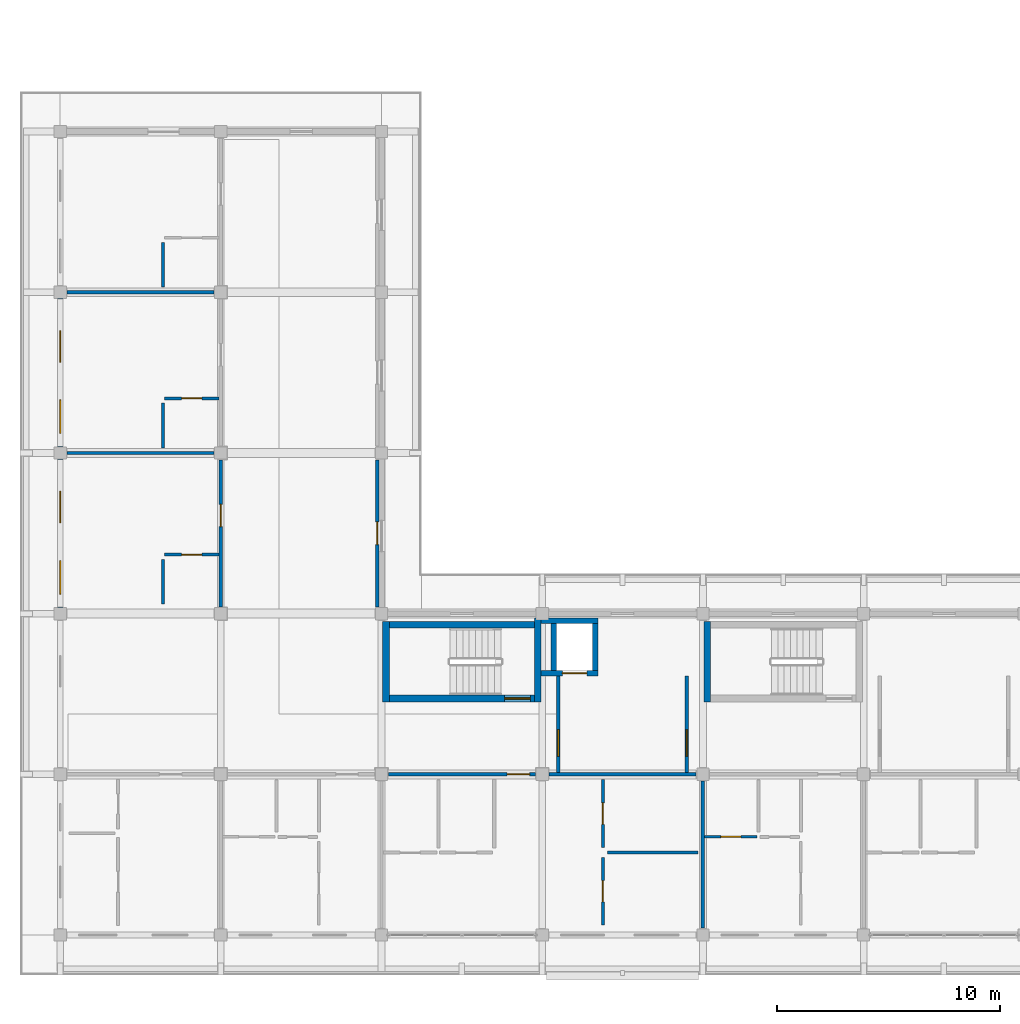
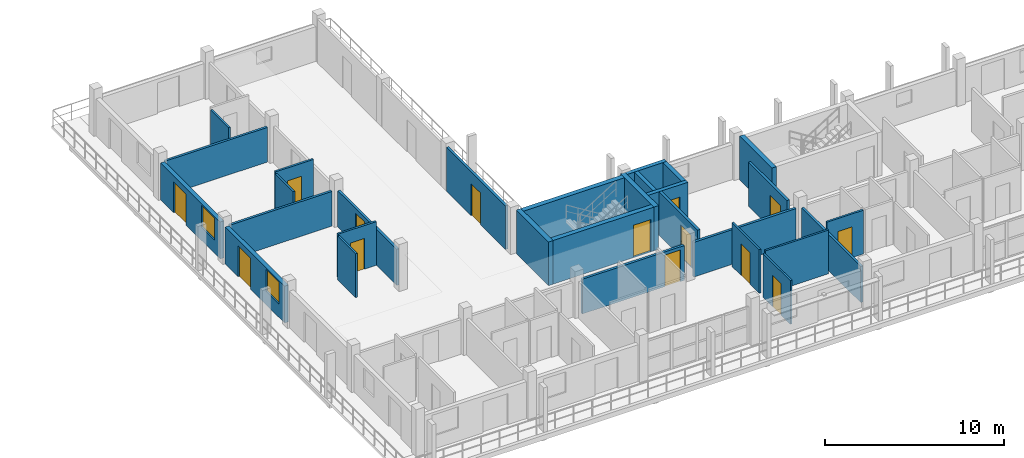
# One storey, part 35 of 73: 29 walls, 14 doors, 2 windows, 16 openings.
"""IFC4 building model written with IfcOpenShell, lengths in metres."""

from ifc_helpers import new_model, si_unit, direction, frame, frame_2d, origin, place, context, subcontext, project, spatial, rectangle, extrude, material, layer, layer_set, type_object, element, fill, save


model = new_model("IFC4")

# Units and contexts
model_context = context("Model", 3, precision=1e-05, world=origin(), true_north=direction((0.0, 1.0)))
body_context = subcontext(model_context, "Body", "Model", "MODEL_VIEW")
ifc_project = project(units=[si_unit("LENGTHUNIT", "METRE"), si_unit("AREAUNIT", "SQUARE_METRE"), si_unit("VOLUMEUNIT", "CUBIC_METRE"), si_unit("PLANEANGLEUNIT", "RADIAN"), si_unit("MASSUNIT", "GRAM", prefix="KILO")], contexts=[model_context])

# Site, building, storey
site_placement = place(None, origin())
site = spatial("IfcSite", under=ifc_project, at=site_placement, CompositionType="ELEMENT")
building_placement = place(site_placement, origin())
building = spatial("IfcBuilding", under=site, at=building_placement, Name="Suanplinth Sawtooth Commons", CompositionType="ELEMENT")
storey_placement = place(building_placement, frame((0.0, 0.0, 21.89990234375)))
storey = spatial("IfcBuildingStorey", under=building, at=storey_placement, Name="L06", CompositionType="ELEMENT", Elevation=21.89990234375)

# Wall, opening, door
ifc_material_1 = material(Name="Concrete C40/50", Category="concrete")
ifc_layer_1 = layer(ifc_material_1, 0.300048828125, Name="Standard RC stair and lift core wall 300mm")
ifc_layer_set_1 = layer_set([ifc_layer_1], Name="Concrete C40/50")
wall_type_1 = type_object("IfcWallType", Name="W-CR02", PredefinedType="SHEAR", material=ifc_layer_set_1)
wall_1_placement = place(storey_placement, frame((14.75, 10.60009765625, 0.0), z_axis=(0.0, 0.0, 1.0), x_axis=(1.0, 0.0, 0.0)))
wall_1 = element("IfcWall", 1, at=wall_1_placement, inside=storey, type_object=wall_type_1, Name="W-L06-C-D1-STS", PredefinedType="SHEAR", context=body_context, shape_type="SweptSolid", body=[
    extrude(rectangle(XDim=6.5, YDim=0.300048828125, at=frame_2d((3.25, 0.0))), origin(), (0.0, 0.0, 1.0), 2.97998046875),
])
opening_1_placement = place(wall_1_placement, frame((5.169921875, 0.0, 0.0)))
opening_1 = element("IfcOpeningElement", 2, at=opening_1_placement, cuts=wall_1, Name="Opening FD0385", PredefinedType="OPENING", context=body_context, shape_type="SweptSolid", body=[
    extrude(rectangle(XDim=1.14990234375, YDim=2.199951171875, at=frame_2d((0.574951171875, 1.10009765625))), frame((0.0, 0.1650390625, 0.0), z_axis=(0.0, -1.0, 0.0), x_axis=(1.0, 0.0, 0.0)), (0.0, 0.0, 1.0), 0.329833984375),
])
ifc_material_2 = material(Name="Teak hardwood fire-rated door assembly", Category="wood")
door_type_1 = type_object("IfcDoorType", Name="FD-01", OperationType="NOTDEFINED", PredefinedType="DOOR", material=ifc_material_2)
door_1_placement = place(opening_1_placement, origin())
door_1 = element("IfcDoor", 3, at=door_1_placement, inside=storey, type_object=door_type_1, Name="Exit Stair Fire Door FD0385", OperationType="SINGLE_SWING_LEFT", OverallHeight=2.199951171875, OverallWidth=1.14990234375, PredefinedType="DOOR", context=body_context, shape_type="SweptSolid", body=[
    extrude(rectangle(XDim=1.14990234375, YDim=2.199951171875, at=frame_2d((0.574951171875, 1.10009765625))), frame((0.0, 0.02490234375, 0.0), z_axis=(0.0, -1.0, 0.0), x_axis=(1.0, 0.0, 0.0)), (0.0, 0.0, 1.0), 0.050048828125),
])
fill(opening_1, door_1)

# Walls
wall_2_placement = place(storey_placement, frame((14.75, 13.89990234375, 0.0), z_axis=(0.0, 0.0, 1.0), x_axis=(1.0, 0.0, 0.0)))
element("IfcWall", 4, at=wall_2_placement, inside=storey, type_object=wall_type_1, Name="W-L06-C-D1-STN", PredefinedType="SHEAR", context=body_context, shape_type="SweptSolid", body=[
    extrude(rectangle(XDim=6.5, YDim=0.300048828125, at=frame_2d((3.25, 0.0))), origin(), (0.0, 0.0, 1.0), 2.97998046875),
])
wall_3_placement = place(storey_placement, frame((14.60009765625, 10.449951171875, 0.0), z_axis=(0.0, 0.0, 1.0), x_axis=(0.0, 1.0, 0.0)))
element("IfcWall", 5, at=wall_3_placement, inside=storey, type_object=wall_type_1, Name="W-L06-C-D1-STW", PredefinedType="SHEAR", context=body_context, shape_type="SweptSolid", body=[
    extrude(rectangle(XDim=3.60009765625, YDim=0.300048828125, at=frame_2d((1.800048828125, 0.0))), origin(), (0.0, 0.0, 1.0), 2.97998046875),
])
wall_4_placement = place(storey_placement, frame((21.39990234375, 10.449951171875, 0.0), z_axis=(0.0, 0.0, 1.0), x_axis=(0.0, 1.0, 0.0)))
element("IfcWall", 6, at=wall_4_placement, inside=storey, type_object=wall_type_1, Name="W-L06-C-D1-STE", PredefinedType="SHEAR", context=body_context, shape_type="SweptSolid", body=[
    extrude(rectangle(XDim=3.75, YDim=0.300048828125, at=frame_2d((1.875, 0.0))), origin(), (0.0, 0.0, 1.0), 2.97998046875),
])
wall_5_placement = place(storey_placement, frame((29.0, 10.449951171875, 0.0), z_axis=(0.0, 0.0, 1.0), x_axis=(0.0, 1.0, 0.0)))
element("IfcWall", 7, at=wall_5_placement, inside=storey, type_object=wall_type_1, Name="W-L06-C-D2-STW", PredefinedType="SHEAR", context=body_context, shape_type="SweptSolid", body=[
    extrude(rectangle(XDim=3.60009765625, YDim=0.300048828125, at=frame_2d((1.800048828125, 0.0))), origin(), (0.0, 0.0, 1.0), 2.97998046875),
])

# Wall, openings, door, window
ifc_material_3 = material(Name="Precast concrete C40/50", Category="concrete")
ifc_layer_2 = layer(ifc_material_3, 0.260009765625, Name="Insulated precast courtyard facade wall 260mm")
ifc_layer_set_2 = layer_set([ifc_layer_2], Name="Precast concrete C40/50")
wall_type_2 = type_object("IfcWallType", Name="W-EX02", PredefinedType="ELEMENTEDWALL", material=ifc_layer_set_2)
wall_6_placement = place(storey_placement, frame((0.0, 14.675048828125, 0.0), z_axis=(0.0, 0.0, 1.0), x_axis=(0.0, 1.0, 0.0)))
wall_6 = element("IfcWall", 8, at=wall_6_placement, inside=storey, type_object=wall_type_2, Name="Facade Wall W-L06-D-W-0-2", PredefinedType="ELEMENTEDWALL", context=body_context, shape_type="SweptSolid", body=[
    extrude(rectangle(XDim=6.64990234375, YDim=0.260009765625, at=frame_2d((3.324951171875, 0.0))), origin(), (0.0, 0.0, 1.0), 2.51513671875),
])
opening_2_placement = place(wall_6_placement, frame((3.800048828125, 0.0, 0.0)))
opening_2 = element("IfcOpeningElement", 9, at=opening_2_placement, cuts=wall_6, Name="Opening ED0538", PredefinedType="OPENING", context=body_context, shape_type="SweptSolid", body=[
    extrude(rectangle(XDim=1.39990234375, YDim=2.10009765625, at=frame_2d((0.699951171875, 1.050048828125))), frame((0.0, 0.14501953125, 0.0), z_axis=(0.0, -1.0, 0.0), x_axis=(1.0, 0.0, 0.0)), (0.0, 0.0, 1.0), 0.289794921875),
])
opening_3_placement = place(wall_6_placement, frame((0.60009765625, 0.0, 0.905029296875)))
opening_3 = element("IfcOpeningElement", 10, at=opening_3_placement, cuts=wall_6, Name="Opening W0623", PredefinedType="OPENING", context=body_context, shape_type="SweptSolid", body=[
    extrude(rectangle(XDim=1.5, YDim=1.5, at=frame_2d((0.75, 0.75))), frame((0.0, 0.14501953125, 0.0), z_axis=(0.0, -1.0, 0.0), x_axis=(1.0, 0.0, 0.0)), (0.0, 0.0, 1.0), 0.289794921875),
])
ifc_material_4 = material(Name="Anodized aluminium and low-E glass", Category="aluminium")
door_type_2 = type_object("IfcDoorType", Name="SD-07", OperationType="SLIDING_TO_RIGHT", PredefinedType="DOOR", material=ifc_material_4)
door_2_placement = place(opening_2_placement, frame((1.39990234375, 0.0, 0.0), z_axis=(0.0, 0.0, 1.0), x_axis=(-1.0, 0.0, 0.0)))
door_2 = element("IfcDoor", 11, at=door_2_placement, inside=storey, type_object=door_type_2, Name="Wing Balcony Sliding Door L06-D-2", OperationType="SLIDING_TO_RIGHT", OverallHeight=2.10009765625, OverallWidth=1.39990234375, PredefinedType="DOOR", context=body_context, shape_type="SweptSolid", body=[
    extrude(rectangle(XDim=1.39990234375, YDim=2.10009765625, at=frame_2d((0.699951171875, 1.050048828125))), frame((0.0, 0.02490234375, 0.0), z_axis=(0.0, -1.0, 0.0), x_axis=(1.0, 0.0, 0.0)), (0.0, 0.0, 1.0), 0.050048828125),
])
fill(opening_2, door_2)
ifc_material_5 = material(Name="Thermally broken aluminium and low-E double glazing", Category="aluminium")
window_type = type_object("IfcWindowType", Name="WN-02", PartitioningType="DOUBLE_PANEL_VERTICAL", PredefinedType="WINDOW", material=ifc_material_5)
window_1_placement = place(opening_3_placement, origin())
window_1 = element("IfcWindow", 12, at=window_1_placement, inside=storey, type_object=window_type, Name="Wing Window L06-D-2", OverallHeight=1.5, OverallWidth=1.5, PartitioningType="DOUBLE_PANEL_VERTICAL", PredefinedType="WINDOW", context=body_context, shape_type="SweptSolid", body=[
    extrude(rectangle(XDim=1.5, YDim=1.5, at=frame_2d((0.75, 0.75))), frame((0.0, 0.030029296875, 0.0), z_axis=(0.0, -1.0, 0.0), x_axis=(1.0, 0.0, 0.0)), (0.0, 0.0, 1.0), 0.06005859375),
])
fill(opening_3, window_1)

wall_7_placement = place(storey_placement, frame((0.0, 21.875, 0.0), z_axis=(0.0, 0.0, 1.0), x_axis=(0.0, 1.0, 0.0)))
wall_7 = element("IfcWall", 13, at=wall_7_placement, inside=storey, type_object=wall_type_2, Name="Facade Wall W-L06-D-W-0-3", PredefinedType="ELEMENTEDWALL", context=body_context, shape_type="SweptSolid", body=[
    extrude(rectangle(XDim=6.64990234375, YDim=0.260009765625, at=frame_2d((3.324951171875, 0.0))), origin(), (0.0, 0.0, 1.0), 2.51513671875),
])
opening_4_placement = place(wall_7_placement, frame((3.800048828125, 0.0, 0.0)))
opening_4 = element("IfcOpeningElement", 14, at=opening_4_placement, cuts=wall_7, Name="Opening ED0539", PredefinedType="OPENING", context=body_context, shape_type="SweptSolid", body=[
    extrude(rectangle(XDim=1.39990234375, YDim=2.10009765625, at=frame_2d((0.699951171875, 1.050048828125))), frame((0.0, 0.14501953125, 0.0), z_axis=(0.0, -1.0, 0.0), x_axis=(1.0, 0.0, 0.0)), (0.0, 0.0, 1.0), 0.289794921875),
])
opening_5_placement = place(wall_7_placement, frame((0.60009765625, 0.0, 0.905029296875)))
opening_5 = element("IfcOpeningElement", 15, at=opening_5_placement, cuts=wall_7, Name="Opening W0624", PredefinedType="OPENING", context=body_context, shape_type="SweptSolid", body=[
    extrude(rectangle(XDim=1.5, YDim=1.5, at=frame_2d((0.75, 0.75))), frame((0.0, 0.14501953125, 0.0), z_axis=(0.0, -1.0, 0.0), x_axis=(1.0, 0.0, 0.0)), (0.0, 0.0, 1.0), 0.289794921875),
])
door_3_placement = place(opening_4_placement, frame((1.39990234375, 0.0, 0.0), z_axis=(0.0, 0.0, 1.0), x_axis=(-1.0, 0.0, 0.0)))
door_3 = element("IfcDoor", 16, at=door_3_placement, inside=storey, type_object=door_type_2, Name="Wing Balcony Sliding Door L06-D-3", OperationType="SLIDING_TO_RIGHT", OverallHeight=2.10009765625, OverallWidth=1.39990234375, PredefinedType="DOOR", context=body_context, shape_type="SweptSolid", body=[
    extrude(rectangle(XDim=1.39990234375, YDim=2.10009765625, at=frame_2d((0.699951171875, 1.050048828125))), frame((0.0, 0.02490234375, 0.0), z_axis=(0.0, -1.0, 0.0), x_axis=(1.0, 0.0, 0.0)), (0.0, 0.0, 1.0), 0.050048828125),
])
fill(opening_4, door_3)
window_2_placement = place(opening_5_placement, origin())
window_2 = element("IfcWindow", 17, at=window_2_placement, inside=storey, type_object=window_type, Name="Wing Window L06-D-3", OverallHeight=1.5, OverallWidth=1.5, PartitioningType="DOUBLE_PANEL_VERTICAL", PredefinedType="WINDOW", context=body_context, shape_type="SweptSolid", body=[
    extrude(rectangle(XDim=1.5, YDim=1.5, at=frame_2d((0.75, 0.75))), frame((0.0, 0.030029296875, 0.0), z_axis=(0.0, -1.0, 0.0), x_axis=(1.0, 0.0, 0.0)), (0.0, 0.0, 1.0), 0.06005859375),
])
fill(opening_5, window_2)

# Wall, opening, door
ifc_layer_3 = layer(ifc_material_3, 0.159912109375, Name="Fire-rated corridor and lobby wall 160mm")
ifc_layer_set_3 = layer_set([ifc_layer_3], Name="Precast concrete C40/50")
wall_type_3 = type_object("IfcWallType", Name="W-FW01", PredefinedType="PARTITIONING", material=ifc_layer_set_3)
wall_8_placement = place(storey_placement, frame((22.320068359375, 7.280029296875, 0.0), z_axis=(0.0, 0.0, 1.0), x_axis=(0.0, 1.0, 0.0)))
wall_8 = element("IfcWall", 18, at=wall_8_placement, inside=storey, type_object=wall_type_3, Name="W-L06-C-D1-LOB-W", PredefinedType="PARTITIONING", context=body_context, shape_type="SweptSolid", body=[
    extrude(rectangle(XDim=4.320068359375, YDim=0.159912109375, at=frame_2d((2.16015625, 0.0))), origin(), (0.0, 0.0, 1.0), 2.97998046875),
])
opening_6_placement = place(wall_8_placement, frame((0.719970703125, 0.0, 0.0)))
opening_6 = element("IfcOpeningElement", 19, at=opening_6_placement, cuts=wall_8, Name="Opening FD0386", PredefinedType="OPENING", context=body_context, shape_type="SweptSolid", body=[
    extrude(rectangle(XDim=1.199951171875, YDim=2.199951171875, at=frame_2d((0.60009765625, 1.10009765625))), frame((0.0, 0.0947265625, 0.0), z_axis=(0.0, -1.0, 0.0), x_axis=(1.0, 0.0, 0.0)), (0.0, 0.0, 1.0), 0.189697265625),
])
door_type_3 = type_object("IfcDoorType", Name="FD-02", OperationType="NOTDEFINED", PredefinedType="DOOR", material=ifc_material_2)
door_4_placement = place(opening_6_placement, origin())
door_4 = element("IfcDoor", 20, at=door_4_placement, inside=storey, type_object=door_type_3, Name="Lobby Fire Door FD0386", OperationType="SINGLE_SWING_RIGHT", OverallHeight=2.199951171875, OverallWidth=1.199951171875, PredefinedType="DOOR", context=body_context, shape_type="SweptSolid", body=[
    extrude(rectangle(XDim=1.199951171875, YDim=2.199951171875, at=frame_2d((0.60009765625, 1.10009765625))), frame((0.0, 0.02490234375, 0.0), z_axis=(0.0, -1.0, 0.0), x_axis=(1.0, 0.0, 0.0)), (0.0, 0.0, 1.0), 0.050048828125),
])
fill(opening_6, door_4)

wall_9_placement = place(storey_placement, frame((28.080078125, 7.280029296875, 0.0), z_axis=(0.0, 0.0, 1.0), x_axis=(0.0, 1.0, 0.0)))
wall_9 = element("IfcWall", 21, at=wall_9_placement, inside=storey, type_object=wall_type_3, Name="W-L06-C-D1-LOB-E", PredefinedType="PARTITIONING", context=body_context, shape_type="SweptSolid", body=[
    extrude(rectangle(XDim=4.320068359375, YDim=0.159912109375, at=frame_2d((2.16015625, 0.0))), origin(), (0.0, 0.0, 1.0), 2.97998046875),
])
opening_7_placement = place(wall_9_placement, frame((0.719970703125, 0.0, 0.0)))
opening_7 = element("IfcOpeningElement", 22, at=opening_7_placement, cuts=wall_9, Name="Opening FD0387", PredefinedType="OPENING", context=body_context, shape_type="SweptSolid", body=[
    extrude(rectangle(XDim=1.199951171875, YDim=2.199951171875, at=frame_2d((0.60009765625, 1.10009765625))), frame((0.0, 0.0947265625, 0.0), z_axis=(0.0, -1.0, 0.0), x_axis=(1.0, 0.0, 0.0)), (0.0, 0.0, 1.0), 0.189697265625),
])
door_5_placement = place(opening_7_placement, frame((1.199951171875, 0.0, 0.0), z_axis=(0.0, 0.0, 1.0), x_axis=(-1.0, 0.0, 0.0)))
door_5 = element("IfcDoor", 23, at=door_5_placement, inside=storey, type_object=door_type_3, Name="Lobby Fire Door FD0387", OperationType="SINGLE_SWING_LEFT", OverallHeight=2.199951171875, OverallWidth=1.199951171875, PredefinedType="DOOR", context=body_context, shape_type="SweptSolid", body=[
    extrude(rectangle(XDim=1.199951171875, YDim=2.199951171875, at=frame_2d((0.60009765625, 1.10009765625))), frame((0.0, 0.02490234375, 0.0), z_axis=(0.0, -1.0, 0.0), x_axis=(1.0, 0.0, 0.0)), (0.0, 0.0, 1.0), 0.050048828125),
])
fill(opening_7, door_5)

wall_10_placement = place(storey_placement, frame((14.705078125, 7.199951171875, 0.0), z_axis=(0.0, 0.0, 1.0), x_axis=(1.0, 0.0, 0.0)))
wall_10 = element("IfcWall", 24, at=wall_10_placement, inside=storey, type_object=wall_type_3, Name="W-D-L06-U03-COR-S1", PredefinedType="PARTITIONING", context=body_context, shape_type="SweptSolid", body=[
    extrude(rectangle(XDim=6.58984375, YDim=0.159912109375, at=frame_2d((3.294921875, 0.0))), origin(), (0.0, 0.0, 1.0), 2.364990234375),
])
opening_8_placement = place(wall_10_placement, frame((5.324951171875, 0.0, 0.0)))
opening_8 = element("IfcOpeningElement", 25, at=opening_8_placement, cuts=wall_10, Name="Opening FD1477", PredefinedType="OPENING", context=body_context, shape_type="SweptSolid", body=[
    extrude(rectangle(XDim=1.0, YDim=2.14990234375, at=frame_2d((0.5, 1.074951171875))), frame((0.0, 0.0947265625, 0.0), z_axis=(0.0, -1.0, 0.0), x_axis=(1.0, 0.0, 0.0)), (0.0, 0.0, 1.0), 0.189697265625),
])
door_type_4 = type_object("IfcDoorType", Name="FD-03", OperationType="NOTDEFINED", PredefinedType="DOOR", material=ifc_material_2)
door_6_placement = place(opening_8_placement, frame((1.0, 0.0, 0.0), z_axis=(0.0, 0.0, 1.0), x_axis=(-1.0, 0.0, 0.0)))
door_6 = element("IfcDoor", 26, at=door_6_placement, inside=storey, type_object=door_type_4, Name="Unit Entrance Door FD1477", OperationType="SINGLE_SWING_LEFT", OverallHeight=2.14990234375, OverallWidth=1.0, PredefinedType="DOOR", context=body_context, shape_type="SweptSolid", body=[
    extrude(rectangle(XDim=1.0, YDim=2.14990234375, at=frame_2d((0.5, 1.074951171875))), frame((0.0, 0.02490234375, 0.0), z_axis=(0.0, -1.0, 0.0), x_axis=(1.0, 0.0, 0.0)), (0.0, 0.0, 1.0), 0.050048828125),
])
fill(opening_8, door_6)

# Wall
wall_11_placement = place(storey_placement, frame((21.905029296875, 7.199951171875, 0.0), z_axis=(0.0, 0.0, 1.0), x_axis=(1.0, 0.0, 0.0)))
element("IfcWall", 27, at=wall_11_placement, inside=storey, type_object=wall_type_3, Name="W-D-L06-U03-COR-S2", PredefinedType="PARTITIONING", context=body_context, shape_type="SweptSolid", body=[
    extrude(rectangle(XDim=6.590087890625, YDim=0.159912109375, at=frame_2d((3.294921875, 0.0))), origin(), (0.0, 0.0, 1.0), 2.364990234375),
])

# Wall, opening, door
wall_12_placement = place(storey_placement, frame((7.199951171875, 14.705078125, 0.0), z_axis=(0.0, 0.0, 1.0), x_axis=(0.0, 1.0, 0.0)))
wall_12 = element("IfcWall", 28, at=wall_12_placement, inside=storey, type_object=wall_type_3, Name="W-D-L06-L01-COR", PredefinedType="PARTITIONING", context=body_context, shape_type="SweptSolid", body=[
    extrude(rectangle(XDim=6.58984375, YDim=0.159912109375, at=frame_2d((3.294921875, 0.0))), origin(), (0.0, 0.0, 1.0), 2.465087890625),
])
opening_9_placement = place(wall_12_placement, frame((3.594970703125, 0.0, 0.0)))
opening_9 = element("IfcOpeningElement", 29, at=opening_9_placement, cuts=wall_12, Name="Opening FD1492", PredefinedType="OPENING", context=body_context, shape_type="SweptSolid", body=[
    extrude(rectangle(XDim=1.0, YDim=2.14990234375, at=frame_2d((0.5, 1.074951171875))), frame((0.0, 0.0947265625, 0.0), z_axis=(0.0, -1.0, 0.0), x_axis=(1.0, 0.0, 0.0)), (0.0, 0.0, 1.0), 0.189697265625),
])
door_7_placement = place(opening_9_placement, origin())
door_7 = element("IfcDoor", 30, at=door_7_placement, inside=storey, type_object=door_type_4, Name="Wing Unit Entrance Door FD1492", OperationType="SINGLE_SWING_RIGHT", OverallHeight=2.14990234375, OverallWidth=1.0, PredefinedType="DOOR", context=body_context, shape_type="SweptSolid", body=[
    extrude(rectangle(XDim=1.0, YDim=2.14990234375, at=frame_2d((0.5, 1.074951171875))), frame((0.0, 0.02490234375, 0.0), z_axis=(0.0, -1.0, 0.0), x_axis=(1.0, 0.0, 0.0)), (0.0, 0.0, 1.0), 0.050048828125),
])
fill(opening_9, door_7)

wall_13_placement = place(storey_placement, frame((14.199951171875, 14.705078125, 0.0), z_axis=(0.0, 0.0, 1.0), x_axis=(0.0, 1.0, 0.0)))
wall_13 = element("IfcWall", 31, at=wall_13_placement, inside=storey, type_object=wall_type_3, Name="W-D-L06-LEGCOURTROOM-55-COR", PredefinedType="PARTITIONING", context=body_context, shape_type="SweptSolid", body=[
    extrude(rectangle(XDim=6.58984375, YDim=0.159912109375, at=frame_2d((3.294921875, 0.0))), origin(), (0.0, 0.0, 1.0), 2.97998046875),
])
opening_10_placement = place(wall_13_placement, frame((2.784912109375, 0.0, 0.0)))
opening_10 = element("IfcOpeningElement", 32, at=opening_10_placement, cuts=wall_13, Name="Opening D1494", PredefinedType="OPENING", context=body_context, shape_type="SweptSolid", body=[
    extrude(rectangle(XDim=1.02001953125, YDim=2.179931640625, at=frame_2d((0.510009765625, 1.08984375))), frame((0.0, 0.0947265625, 0.0), z_axis=(0.0, -1.0, 0.0), x_axis=(1.0, 0.0, 0.0)), (0.0, 0.0, 1.0), 0.189697265625),
])
ifc_material_6 = material(Name="Teak hardwood", Category="wood")
door_type_5 = type_object("IfcDoorType", Name="D-16", OperationType="NOTDEFINED", PredefinedType="DOOR", material=ifc_material_6)
door_8_placement = place(opening_10_placement, frame((1.02001953125, 0.0, 0.0), z_axis=(0.0, 0.0, 1.0), x_axis=(-1.0, 0.0, 0.0)))
door_8 = element("IfcDoor", 33, at=door_8_placement, inside=storey, type_object=door_type_5, Name="Veranda Studio Door D1494", OperationType="SINGLE_SWING_RIGHT", OverallHeight=2.179931640625, OverallWidth=1.02001953125, PredefinedType="DOOR", context=body_context, shape_type="SweptSolid", body=[
    extrude(rectangle(XDim=1.02001953125, YDim=2.179931640625, at=frame_2d((0.510009765625, 1.08984375))), frame((0.0, 0.02490234375, 0.0), z_axis=(0.0, -1.0, 0.0), x_axis=(1.0, 0.0, 0.0)), (0.0, 0.0, 1.0), 0.050048828125),
])
fill(opening_10, door_8)

# Walls
ifc_layer_4 = layer(ifc_material_3, 0.14990234375, Name="Acoustic precast party demising wall 150mm")
ifc_layer_set_4 = layer_set([ifc_layer_4], Name="Precast concrete C40/50")
wall_type_4 = type_object("IfcWallType", Name="W-FW02", PredefinedType="PARTITIONING", material=ifc_layer_set_4)
wall_14_placement = place(storey_placement, frame((28.800048828125, 0.304931640625, 0.0), z_axis=(0.0, 0.0, 1.0), x_axis=(0.0, 1.0, 0.0)))
element("IfcWall", 34, at=wall_14_placement, inside=storey, type_object=wall_type_4, Name="W-D-L06-U03-PTY", PredefinedType="PARTITIONING", context=body_context, shape_type="SweptSolid", body=[
    extrude(rectangle(XDim=6.590087890625, YDim=0.14990234375, at=frame_2d((3.294921875, 0.0))), origin(), (0.0, 0.0, 1.0), 2.465087890625),
])
for number, where, z_axis, x_axis, name in (
    (35, (0.304931640625, 21.60009765625, 0.0), (0.0, 0.0, 1.0), (1.0, 0.0, 0.0), "W-D-L06-L01-PTY"),
    (36, (0.304931640625, 28.800048828125, 0.0), (0.0, 0.0, 1.0), (1.0, 0.0, 0.0), "W-D-L06-L02-PTY"),
):
    element("IfcWall", number, at=place(storey_placement, frame(where, z_axis=z_axis, x_axis=x_axis)), inside=storey, type_object=wall_type_4, Name=name, PredefinedType="PARTITIONING", context=body_context, shape_type="SweptSolid", body=[
        extrude(rectangle(XDim=6.590087890625, YDim=0.14990234375, at=frame_2d((3.294921875, 0.0))), origin(), (0.0, 0.0, 1.0), 2.364990234375),
    ])

# Wall, opening, door
ifc_material_7 = material(Name="Gypsum plasterboard on steel stud", Category="steel")
ifc_layer_5 = layer(ifc_material_7, 0.1298828125, Name="Moisture-resistant bathroom partition 130mm")
ifc_layer_set_5 = layer_set([ifc_layer_5], Name="Gypsum plasterboard on steel stud")
wall_type_5 = type_object("IfcWallType", Name="W-PT02", PredefinedType="PARTITIONING", material=ifc_layer_set_5)
wall_15_placement = place(storey_placement, frame((28.8798828125, 4.405029296875, 0.0), z_axis=(0.0, 0.0, 1.0), x_axis=(1.0, 0.0, 0.0)))
wall_15 = element("IfcWall", 37, at=wall_15_placement, inside=storey, type_object=wall_type_5, Name="W-D-L06-U04-BTH1", PredefinedType="PARTITIONING", context=body_context, shape_type="SweptSolid", body=[
    extrude(rectangle(XDim=2.35009765625, YDim=0.1298828125, at=frame_2d((1.175048828125, 0.0))), origin(), (0.0, 0.0, 1.0), 2.97998046875),
])
opening_11_placement = place(wall_15_placement, frame((0.72509765625, 0.0, 0.0)))
opening_11 = element("IfcOpeningElement", 38, at=opening_11_placement, cuts=wall_15, Name="Opening D1483", PredefinedType="OPENING", context=body_context, shape_type="SweptSolid", body=[
    extrude(rectangle(XDim=0.89990234375, YDim=2.10009765625, at=frame_2d((0.449951171875, 1.050048828125))), frame((0.0, 0.079833984375, 0.0), z_axis=(0.0, -1.0, 0.0), x_axis=(1.0, 0.0, 0.0)), (0.0, 0.0, 1.0), 0.15966796875),
])
door_type_6 = type_object("IfcDoorType", Name="D-01", OperationType="NOTDEFINED", PredefinedType="DOOR", material=ifc_material_6)
door_9_placement = place(opening_11_placement, origin())
door_9 = element("IfcDoor", 39, at=door_9_placement, inside=storey, type_object=door_type_6, Name="Bathroom Door D1483", OperationType="SINGLE_SWING_LEFT", OverallHeight=2.10009765625, OverallWidth=0.89990234375, PredefinedType="DOOR", context=body_context, shape_type="SweptSolid", body=[
    extrude(rectangle(XDim=0.89990234375, YDim=2.10009765625, at=frame_2d((0.449951171875, 1.050048828125))), frame((0.0, 0.02490234375, 0.0), z_axis=(0.0, -1.0, 0.0), x_axis=(1.0, 0.0, 0.0)), (0.0, 0.0, 1.0), 0.050048828125),
])
fill(opening_11, door_9)

wall_16_placement = place(storey_placement, frame((4.669921875, 17.044921875, 0.0), z_axis=(0.0, 0.0, 1.0), x_axis=(1.0, 0.0, 0.0)))
wall_16 = element("IfcWall", 40, at=wall_16_placement, inside=storey, type_object=wall_type_5, Name="W-D-L06-L01-BTH1", PredefinedType="PARTITIONING", context=body_context, shape_type="SweptSolid", body=[
    extrude(rectangle(XDim=2.4501953125, YDim=0.1298828125, at=frame_2d((1.22509765625, 0.0))), origin(), (0.0, 0.0, 1.0), 2.97998046875),
])
opening_12_placement = place(wall_16_placement, frame((0.77490234375, 0.0, 0.0)))
opening_12 = element("IfcOpeningElement", 41, at=opening_12_placement, cuts=wall_16, Name="Opening D1493", PredefinedType="OPENING", context=body_context, shape_type="SweptSolid", body=[
    extrude(rectangle(XDim=0.89990234375, YDim=2.10009765625, at=frame_2d((0.449951171875, 1.050048828125))), frame((0.0, 0.079833984375, 0.0), z_axis=(0.0, -1.0, 0.0), x_axis=(1.0, 0.0, 0.0)), (0.0, 0.0, 1.0), 0.15966796875),
])
door_10_placement = place(opening_12_placement, frame((0.89990234375, 0.0, 0.0), z_axis=(0.0, 0.0, 1.0), x_axis=(-1.0, 0.0, 0.0)))
door_10 = element("IfcDoor", 42, at=door_10_placement, inside=storey, type_object=door_type_6, Name="Bathroom Door D1493", OperationType="SINGLE_SWING_LEFT", OverallHeight=2.10009765625, OverallWidth=0.89990234375, PredefinedType="DOOR", context=body_context, shape_type="SweptSolid", body=[
    extrude(rectangle(XDim=0.89990234375, YDim=2.10009765625, at=frame_2d((0.449951171875, 1.050048828125))), frame((0.0, 0.02490234375, 0.0), z_axis=(0.0, -1.0, 0.0), x_axis=(1.0, 0.0, 0.0)), (0.0, 0.0, 1.0), 0.050048828125),
])
fill(opening_12, door_10)

# Wall
wall_17_placement = place(storey_placement, frame((4.60498046875, 14.830078125, 0.0), z_axis=(0.0, 0.0, 1.0), x_axis=(0.0, 1.0, 0.0)))
element("IfcWall", 43, at=wall_17_placement, inside=storey, type_object=wall_type_5, Name="W-D-L06-L01-BTH2", PredefinedType="PARTITIONING", context=body_context, shape_type="SweptSolid", body=[
    extrude(rectangle(XDim=2.0, YDim=0.1298828125, at=frame_2d((1.0, 0.0))), origin(), (0.0, 0.0, 1.0), 2.97998046875),
])

# Wall, opening, door
wall_18_placement = place(storey_placement, frame((4.669921875, 24.044921875, 0.0), z_axis=(0.0, 0.0, 1.0), x_axis=(1.0, 0.0, 0.0)))
wall_18 = element("IfcWall", 44, at=wall_18_placement, inside=storey, type_object=wall_type_5, Name="W-D-L06-L02-BTH1", PredefinedType="PARTITIONING", context=body_context, shape_type="SweptSolid", body=[
    extrude(rectangle(XDim=2.4501953125, YDim=0.1298828125, at=frame_2d((1.22509765625, 0.0))), origin(), (0.0, 0.0, 1.0), 2.97998046875),
])
opening_13_placement = place(wall_18_placement, frame((0.77490234375, 0.0, 0.0)))
opening_13 = element("IfcOpeningElement", 45, at=opening_13_placement, cuts=wall_18, Name="Opening D1496", PredefinedType="OPENING", context=body_context, shape_type="SweptSolid", body=[
    extrude(rectangle(XDim=0.89990234375, YDim=2.10009765625, at=frame_2d((0.449951171875, 1.050048828125))), frame((0.0, 0.079833984375, 0.0), z_axis=(0.0, -1.0, 0.0), x_axis=(1.0, 0.0, 0.0)), (0.0, 0.0, 1.0), 0.15966796875),
])
door_11_placement = place(opening_13_placement, frame((0.89990234375, 0.0, 0.0), z_axis=(0.0, 0.0, 1.0), x_axis=(-1.0, 0.0, 0.0)))
door_11 = element("IfcDoor", 46, at=door_11_placement, inside=storey, type_object=door_type_6, Name="Bathroom Door D1496", OperationType="SINGLE_SWING_RIGHT", OverallHeight=2.10009765625, OverallWidth=0.89990234375, PredefinedType="DOOR", context=body_context, shape_type="SweptSolid", body=[
    extrude(rectangle(XDim=0.89990234375, YDim=2.10009765625, at=frame_2d((0.449951171875, 1.050048828125))), frame((0.0, 0.02490234375, 0.0), z_axis=(0.0, -1.0, 0.0), x_axis=(1.0, 0.0, 0.0)), (0.0, 0.0, 1.0), 0.050048828125),
])
fill(opening_13, door_11)

# Walls
for number, where, z_axis, x_axis, name in (
    (47, (4.60498046875, 21.830078125, 0.0), (0.0, 0.0, 1.0), (0.0, 1.0, 0.0), "W-D-L06-L02-BTH2"),
    (48, (4.60498046875, 29.030029296875, 0.0), (0.0, 0.0, 1.0), (0.0, 1.0, 0.0), "W-D-L06-L03-BTH2"),
):
    element("IfcWall", number, at=place(storey_placement, frame(where, z_axis=z_axis, x_axis=x_axis)), inside=storey, type_object=wall_type_5, Name=name, PredefinedType="PARTITIONING", context=body_context, shape_type="SweptSolid", body=[
        extrude(rectangle(XDim=2.0, YDim=0.1298828125, at=frame_2d((1.0, 0.0))), origin(), (0.0, 0.0, 1.0), 2.97998046875),
    ])

# Wall, opening, door
ifc_layer_6 = layer(ifc_material_7, 0.1201171875, Name="Acoustic bedroom partition 120mm")
ifc_layer_set_6 = layer_set([ifc_layer_6], Name="Gypsum plasterboard on steel stud")
wall_type_6 = type_object("IfcWallType", Name="W-PT03", PredefinedType="PARTITIONING", material=ifc_layer_set_6)
wall_19_placement = place(storey_placement, frame((24.320068359375, 0.43994140625, 0.0), z_axis=(0.0, 0.0, 1.0), x_axis=(0.0, 1.0, 0.0)))
wall_19 = element("IfcWall", 49, at=wall_19_placement, inside=storey, type_object=wall_type_6, Name="W-D-L06-U03-BED1", PredefinedType="PARTITIONING", context=body_context, shape_type="SweptSolid", body=[
    extrude(rectangle(XDim=3.0400390625, YDim=0.1201171875, at=frame_2d((1.52001953125, 0.0))), origin(), (0.0, 0.0, 1.0), 2.97998046875),
])
opening_14_placement = place(wall_19_placement, frame((1.044921875, 0.0, 0.0)))
opening_14 = element("IfcOpeningElement", 50, at=opening_14_placement, cuts=wall_19, Name="Opening D1480", PredefinedType="OPENING", context=body_context, shape_type="SweptSolid", body=[
    extrude(rectangle(XDim=0.949951171875, YDim=2.14990234375, at=frame_2d((0.47509765625, 1.074951171875))), frame((0.0, 0.074951171875, 0.0), z_axis=(0.0, -1.0, 0.0), x_axis=(1.0, 0.0, 0.0)), (0.0, 0.0, 1.0), 0.14990234375),
])
door_type_7 = type_object("IfcDoorType", Name="D-03", OperationType="NOTDEFINED", PredefinedType="DOOR", material=ifc_material_6)
door_12_placement = place(opening_14_placement, frame((0.949951171875, 0.0, 0.0), z_axis=(0.0, 0.0, 1.0), x_axis=(-1.0, 0.0, 0.0)))
door_12 = element("IfcDoor", 51, at=door_12_placement, inside=storey, type_object=door_type_7, Name="Bedroom Door D1480", OperationType="SINGLE_SWING_RIGHT", OverallHeight=2.14990234375, OverallWidth=0.949951171875, PredefinedType="DOOR", context=body_context, shape_type="SweptSolid", body=[
    extrude(rectangle(XDim=0.949951171875, YDim=2.14990234375, at=frame_2d((0.47509765625, 1.074951171875))), frame((0.0, 0.02490234375, 0.0), z_axis=(0.0, -1.0, 0.0), x_axis=(1.0, 0.0, 0.0)), (0.0, 0.0, 1.0), 0.050048828125),
])
fill(opening_14, door_12)

wall_20_placement = place(storey_placement, frame((24.320068359375, 3.919921875, 0.0), z_axis=(0.0, 0.0, 1.0), x_axis=(0.0, 1.0, 0.0)))
wall_20 = element("IfcWall", 52, at=wall_20_placement, inside=storey, type_object=wall_type_6, Name="W-D-L06-U03-BED2", PredefinedType="PARTITIONING", context=body_context, shape_type="SweptSolid", body=[
    extrude(rectangle(XDim=3.0400390625, YDim=0.1201171875, at=frame_2d((1.52001953125, 0.0))), origin(), (0.0, 0.0, 1.0), 2.97998046875),
])
opening_15_placement = place(wall_20_placement, frame((1.0400390625, 0.0, 0.0)))
opening_15 = element("IfcOpeningElement", 53, at=opening_15_placement, cuts=wall_20, Name="Opening D1481", PredefinedType="OPENING", context=body_context, shape_type="SweptSolid", body=[
    extrude(rectangle(XDim=0.9599609375, YDim=2.14990234375, at=frame_2d((0.47998046875, 1.074951171875))), frame((0.0, 0.074951171875, 0.0), z_axis=(0.0, -1.0, 0.0), x_axis=(1.0, 0.0, 0.0)), (0.0, 0.0, 1.0), 0.14990234375),
])
door_type_8 = type_object("IfcDoorType", Name="D-13", OperationType="NOTDEFINED", PredefinedType="DOOR", material=ifc_material_6)
door_13_placement = place(opening_15_placement, frame((0.9599609375, 0.0, 0.0), z_axis=(0.0, 0.0, 1.0), x_axis=(-1.0, 0.0, 0.0)))
door_13 = element("IfcDoor", 54, at=door_13_placement, inside=storey, type_object=door_type_8, Name="Second Bedroom Door D1481", OperationType="SINGLE_SWING_LEFT", OverallHeight=2.14990234375, OverallWidth=0.9599609375, PredefinedType="DOOR", context=body_context, shape_type="SweptSolid", body=[
    extrude(rectangle(XDim=0.9599609375, YDim=2.14990234375, at=frame_2d((0.47998046875, 1.074951171875))), frame((0.0, 0.02490234375, 0.0), z_axis=(0.0, -1.0, 0.0), x_axis=(1.0, 0.0, 0.0)), (0.0, 0.0, 1.0), 0.050048828125),
])
fill(opening_15, door_13)

# Wall
ifc_layer_7 = layer(ifc_material_7, 0.125, Name="Acoustic study partition 125mm")
ifc_layer_set_7 = layer_set([ifc_layer_7], Name="Gypsum plasterboard on steel stud")
wall_type_7 = type_object("IfcWallType", Name="W-PT06", PredefinedType="PARTITIONING", material=ifc_layer_set_7)
wall_21_placement = place(storey_placement, frame((24.52001953125, 3.699951171875, 0.0), z_axis=(0.0, 0.0, 1.0), x_axis=(1.0, 0.0, 0.0)))
element("IfcWall", 55, at=wall_21_placement, inside=storey, type_object=wall_type_7, Name="W-D-L06-U03-BEDDIV", PredefinedType="PARTITIONING", context=body_context, shape_type="SweptSolid", body=[
    extrude(rectangle(XDim=4.06005859375, YDim=0.125, at=frame_2d((2.030029296875, 0.0))), origin(), (0.0, 0.0, 1.0), 2.97998046875),
])

# Wall, opening, door
ifc_layer_8 = layer(ifc_material_3, 0.25, Name="Precast structural shear wall 250mm")
ifc_layer_set_8 = layer_set([ifc_layer_8], Name="Precast concrete C40/50")
wall_type_8 = type_object("IfcWallType", Name="W-SH01", PredefinedType="SHEAR", material=ifc_layer_set_8)
wall_22_placement = place(storey_placement, frame((21.550048828125, 11.72509765625, 0.0), z_axis=(0.0, 0.0, 1.0), x_axis=(1.0, 0.0, 0.0)))
wall_22 = element("IfcWall", 56, at=wall_22_placement, inside=storey, type_object=wall_type_8, Name="W-L06-LF6-S", PredefinedType="SHEAR", context=body_context, shape_type="SweptSolid", body=[
    extrude(rectangle(XDim=2.550048828125, YDim=0.25, at=frame_2d((1.27490234375, 0.0))), origin(), (0.0, 0.0, 1.0), 2.97998046875),
])
opening_16_placement = place(wall_22_placement, frame((0.949951171875, 0.0, 0.0)))
opening_16 = element("IfcOpeningElement", 57, at=opening_16_placement, cuts=wall_22, Name="Opening LD0388", PredefinedType="OPENING", context=body_context, shape_type="SweptSolid", body=[
    extrude(rectangle(XDim=1.10009765625, YDim=2.14990234375, at=frame_2d((0.550048828125, 1.074951171875))), frame((0.0, 0.139892578125, 0.0), z_axis=(0.0, -1.0, 0.0), x_axis=(1.0, 0.0, 0.0)), (0.0, 0.0, 1.0), 0.27978515625),
])
ifc_material_8 = material(Name="Stainless steel Grade 304", Category="steel")
door_type_9 = type_object("IfcDoorType", Name="LD-01", OperationType="SLIDING_TO_LEFT", PredefinedType="DOOR", material=ifc_material_8)
door_14_placement = place(opening_16_placement, frame((1.10009765625, 0.0, 0.0), z_axis=(0.0, 0.0, 1.0), x_axis=(-1.0, 0.0, 0.0)))
door_14 = element("IfcDoor", 58, at=door_14_placement, inside=storey, type_object=door_type_9, Name="Lift Landing Sliding Door LF6 L06", OperationType="SLIDING_TO_LEFT", OverallHeight=2.14990234375, OverallWidth=1.10009765625, PredefinedType="DOOR", context=body_context, shape_type="SweptSolid", body=[
    extrude(rectangle(XDim=1.10009765625, YDim=2.14990234375, at=frame_2d((0.550048828125, 1.074951171875))), frame((0.0, 0.02490234375, 0.0), z_axis=(0.0, -1.0, 0.0), x_axis=(1.0, 0.0, 0.0)), (0.0, 0.0, 1.0), 0.050048828125),
])
fill(opening_16, door_14)

# Walls
wall_23_placement = place(storey_placement, frame((21.550048828125, 14.074951171875, 0.0), z_axis=(0.0, 0.0, 1.0), x_axis=(1.0, 0.0, 0.0)))
element("IfcWall", 59, at=wall_23_placement, inside=storey, type_object=wall_type_8, Name="W-L06-LF6-N", PredefinedType="SHEAR", context=body_context, shape_type="SweptSolid", body=[
    extrude(rectangle(XDim=2.550048828125, YDim=0.25, at=frame_2d((1.27490234375, 0.0))), origin(), (0.0, 0.0, 1.0), 2.97998046875),
])
for number, where, z_axis, x_axis, name in (
    (60, (22.125, 11.85009765625, 0.0), (0.0, 0.0, 1.0), (0.0, 1.0, 0.0), "W-L06-LF6-W"),
    (61, (23.97509765625, 11.85009765625, 0.0), (0.0, 0.0, 1.0), (0.0, 1.0, 0.0), "W-L06-LF6-E"),
):
    element("IfcWall", number, at=place(storey_placement, frame(where, z_axis=z_axis, x_axis=x_axis)), inside=storey, type_object=wall_type_8, Name=name, PredefinedType="SHEAR", context=body_context, shape_type="SweptSolid", body=[
        extrude(rectangle(XDim=2.099853515625, YDim=0.25, at=frame_2d((1.0498046875, 0.0))), origin(), (0.0, 0.0, 1.0), 2.97998046875),
    ])

save(model, "model.ifc")
